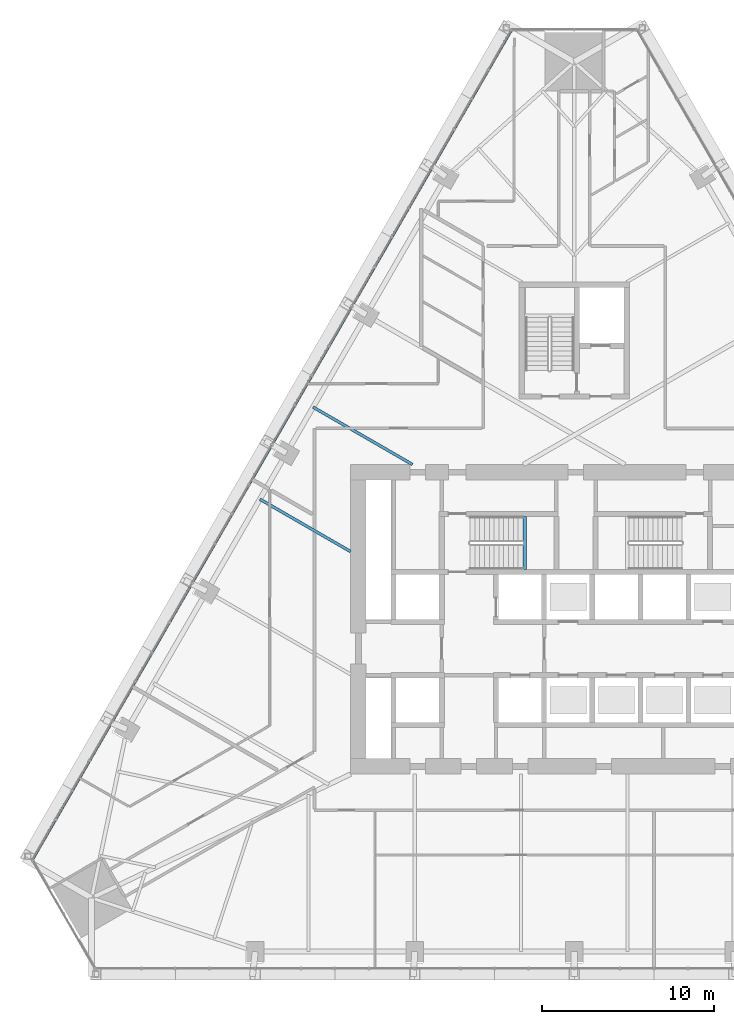
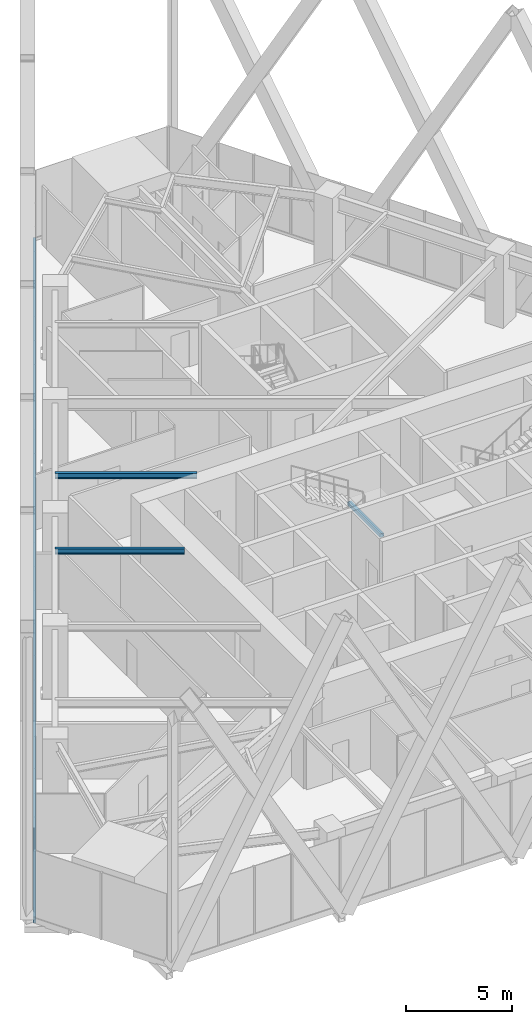
# One storey, part 5 of 19: 3 beams, 1 member, 1 element without a shape of its own.
"""IFC4 building model written with IfcOpenShell, lengths in metres."""

from ifc_helpers import new_model, si_unit, direction, frame, origin, origin_2d, place, context, subcontext, project, spatial, rectangle, i_section, extrude, material, layer, layer_set, material_profile, profile_set, type_object, element, aggregate, save


model = new_model("IFC4")

# Units and contexts
model_context = context("Model", 3, precision=1e-05, world=origin(), true_north=direction((0.0, 1.0)))
body_context = subcontext(model_context, "Body", "Model", "MODEL_VIEW")
ifc_project = project(units=[si_unit("LENGTHUNIT", "METRE"), si_unit("AREAUNIT", "SQUARE_METRE"), si_unit("VOLUMEUNIT", "CUBIC_METRE"), si_unit("PLANEANGLEUNIT", "RADIAN"), si_unit("MASSUNIT", "GRAM", prefix="KILO")], contexts=[model_context])

# Site, building, storey
site_placement = place(None, origin())
site = spatial("IfcSite", under=ifc_project, at=site_placement, CompositionType="ELEMENT")
building_placement = place(site_placement, origin())
building = spatial("IfcBuilding", under=site, at=building_placement, Name="Firuza Gate Tower and Library", CompositionType="ELEMENT")
storey_placement = place(building_placement, frame((0.0, 0.0, 124.0)))
storey = spatial("IfcBuildingStorey", under=building, at=storey_placement, Name="L28", CompositionType="ELEMENT", Elevation=124.0)

# Curtain wall, member
ifc_material_1 = material(Name="Aluminium 6063-T6", Category="aluminium")
ifc_layer = layer(ifc_material_1, 0.14990234375)
ifc_layer_set = layer_set([ifc_layer], Name="Unitised curtain wall, offices")
curtain_wall_type = type_object("IfcCurtainWallType", Name="Unitised curtain wall, offices", PredefinedType="NOTDEFINED", material=ifc_layer_set)
curtain_wall_placement = place(storey_placement, origin())
curtain_wall = element("IfcCurtainWall", 1, at=curtain_wall_placement, inside=storey, type_object=curtain_wall_type, Name="CW1 L28 W face", PredefinedType="NOTDEFINED")
ifc_material_2 = material(Name="Aluminium 6063-T6", Category="aluminium")
ifc_material_profile_1 = material_profile(ifc_material_2, rectangle(XDim=0.14990234375, YDim=0.35009765625, at=origin_2d()))
ifc_profile_set_1 = profile_set([ifc_material_profile_1], Name="Aluminium 6063-T6")
member_type = type_object("IfcMemberType", Name="Curtain wall transom 350x150", PredefinedType="USERDEFINED", material=ifc_profile_set_1)
member_placement = place(storey_placement, frame((71.356689453125, 109.273681640625, -0.02490234375), z_axis=(-0.499998060823, -0.866026523366, 0.0), x_axis=(0.866026523366, -0.499998060823, 0.0)))
member = element("IfcMember", 2, at=member_placement, type_object=member_type, Name="Transom", ObjectType="TRANSOM", PredefinedType="USERDEFINED", context=body_context, shape_type="SweptSolid", body=[
    extrude(rectangle(XDim=0.14990234375, YDim=0.35009765625, at=origin_2d()), origin(), (0.0, 0.0, 1.0), 55.720458984375),
])
aggregate(curtain_wall, [member])

# Beams
ifc_material_3 = material(Name="Concrete C35/45", Category="concrete")
ifc_material_profile_2 = material_profile(ifc_material_3, rectangle(XDim=0.199951171875, YDim=0.199951171875, at=origin_2d()))
ifc_profile_set_2 = profile_set([ifc_material_profile_2], Name="Concrete C35/45")
beam_type_1 = type_object("IfcBeamType", Name="Stair landing bearer 200x200", PredefinedType="BEAM", material=ifc_profile_set_2)
beam_1_placement = place(storey_placement, frame((72.1201171875, 77.89990234375, 1.800048828125), z_axis=(0.0, 1.0, 0.0), x_axis=(-1.0, 0.0, 0.0)))
element("IfcBeam", 3, at=beam_1_placement, inside=storey, type_object=beam_type_1, Name="Landing bearer L28 stair 1", PredefinedType="BEAM", context=body_context, shape_type="SweptSolid", body=[
    extrude(rectangle(XDim=0.199951171875, YDim=0.199951171875, at=origin_2d()), origin(), (0.0, 0.0, 1.0), 3.080078125),
])
ifc_material_4 = material(Name="Steel S355", Category="steel")
ifc_material_profile_3 = material_profile(ifc_material_4, i_section(OverallWidth=0.1650390625, OverallDepth=0.31005859375, WebThickness=0.005859375, FlangeThickness=0.009765625, at=origin_2d()))
ifc_profile_set_3 = profile_set([ifc_material_profile_3], Name="Steel S355")
beam_type_2 = type_object("IfcBeamType", Name="W310x39 Floor beam", PredefinedType="JOIST", material=ifc_profile_set_3)
beam_2_placement = place(storey_placement, frame((59.81640625, 87.335205078125, 3.844970703125), z_axis=(0.866020406929, -0.500008654708, 0.0), x_axis=(0.500008654708, 0.866020406929, 0.0)))
element("IfcBeam", 4, at=beam_2_placement, inside=storey, type_object=beam_type_2, Name="Floor beam L28 s82", PredefinedType="JOIST", context=body_context, shape_type="SweptSolid", body=[
    extrude(i_section(OverallWidth=0.1650390625, OverallDepth=0.31005859375, WebThickness=0.005859375, FlangeThickness=0.009765625, at=origin_2d()), origin(), (0.0, 0.0, 1.0), 6.67041015625),
])
beam_3_placement = place(storey_placement, frame((56.7255859375, 81.98193359375, 3.844970703125), z_axis=(0.866026709368, -0.499997738657, 0.0), x_axis=(0.499997738657, 0.866026709368, 0.0)))
element("IfcBeam", 5, at=beam_3_placement, inside=storey, type_object=beam_type_2, Name="Floor beam L28 s83", PredefinedType="JOIST", context=body_context, shape_type="SweptSolid", body=[
    extrude(i_section(OverallWidth=0.1650390625, OverallDepth=0.31005859375, WebThickness=0.005859375, FlangeThickness=0.009765625, at=origin_2d()), origin(), (0.0, 0.0, 1.0), 6.09033203125),
])

save(model, "model.ifc")
